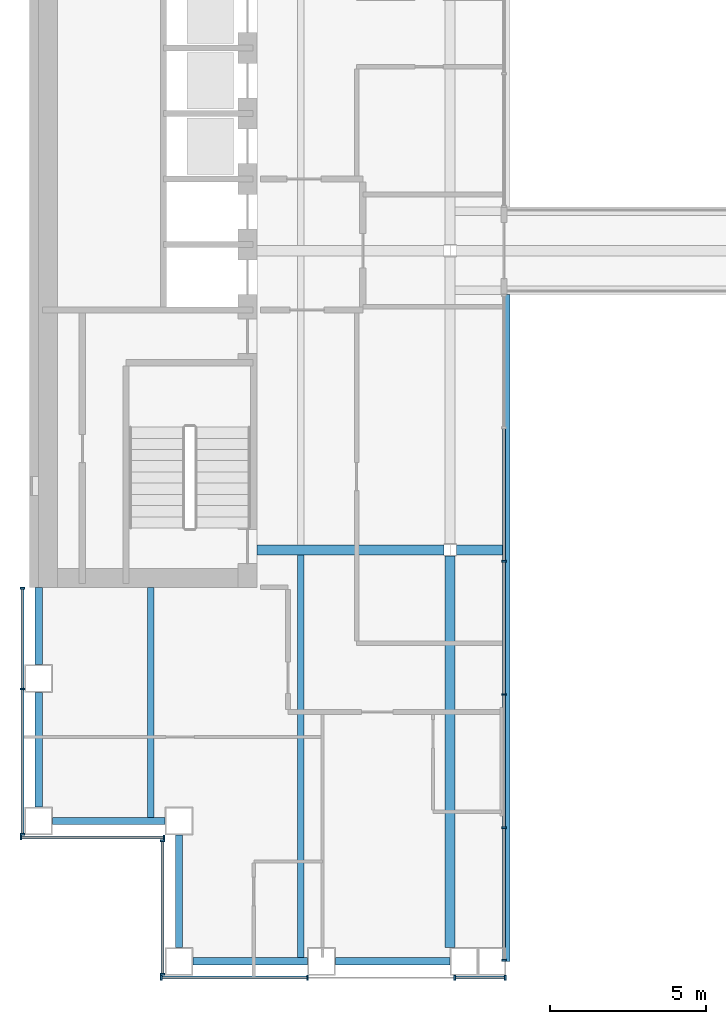
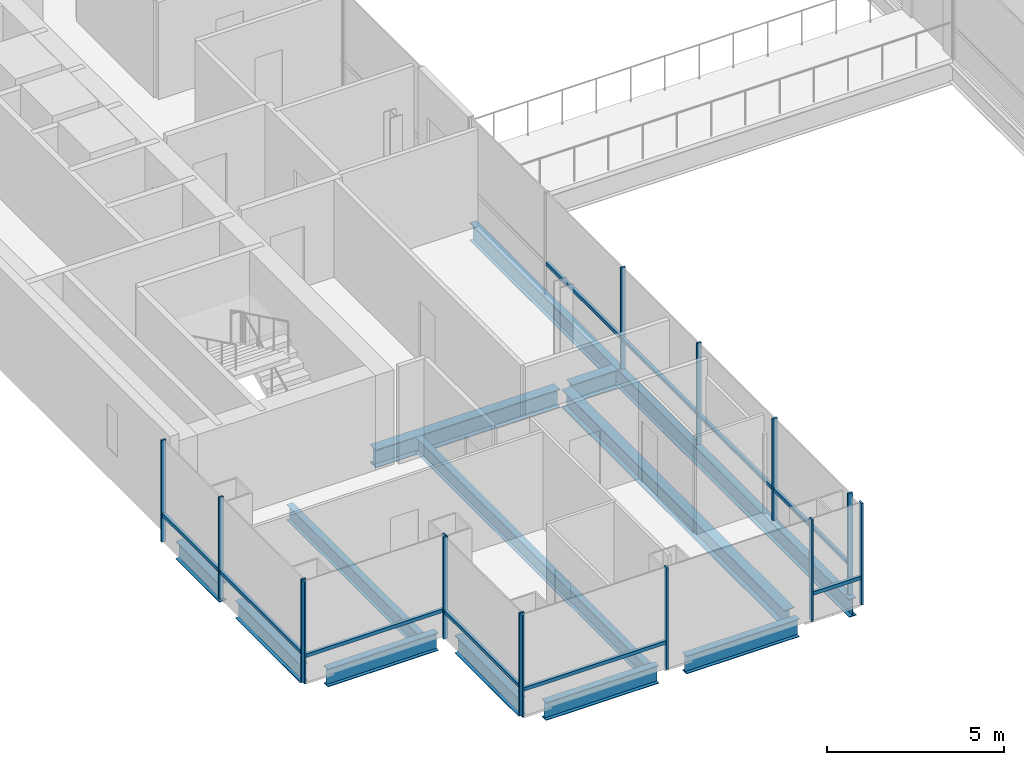
# One storey, part 2 of 16: 25 members, 12 beams, 5 elements without a shape of their own.
"""IFC4 building model written with IfcOpenShell, lengths in metres."""

from ifc_helpers import new_model, si_unit, direction, frame, origin, origin_2d, place, context, subcontext, project, spatial, rectangle, i_section, extrude, material, material_profile, profile_set, type_object, element, aggregate, save


model = new_model("IFC4")

# Units and contexts
model_context = context("Model", 3, precision=1e-05, world=origin(), true_north=direction((0.0, 1.0)))
body_context = subcontext(model_context, "Body", "Model", "MODEL_VIEW")
ifc_project = project(units=[si_unit("LENGTHUNIT", "METRE"), si_unit("AREAUNIT", "SQUARE_METRE"), si_unit("VOLUMEUNIT", "CUBIC_METRE"), si_unit("PLANEANGLEUNIT", "RADIAN"), si_unit("MASSUNIT", "GRAM", prefix="KILO")], contexts=[model_context])

# Site, building, storey
site_placement = place(None, origin())
site = spatial("IfcSite", under=ifc_project, at=site_placement, CompositionType="ELEMENT")
building_placement = place(site_placement, origin())
building = spatial("IfcBuilding", under=site, at=building_placement, Name="Cobrizo Arcos Hotel Tower", CompositionType="ELEMENT")
storey_placement = place(building_placement, frame((0.0, 0.0, 120.5)))
storey = spatial("IfcBuildingStorey", under=building, at=storey_placement, Name="L30", CompositionType="ELEMENT", Elevation=120.5)

# Curtain wall, members
ifc_material_1 = material(Name="Aluminium 6063-T6 anodised bronze", Category="aluminium")
curtain_wall_type_1 = type_object("IfcCurtainWallType", Name="CW-A guest facade", PredefinedType="NOTDEFINED", material=ifc_material_1)
curtain_wall_1_placement = place(storey_placement, origin())
curtain_wall_1 = element("IfcCurtainWall", 1, at=curtain_wall_1_placement, inside=storey, type_object=curtain_wall_type_1, Name="CW-A L30 S face", PredefinedType="NOTDEFINED")
ifc_material_profile_1 = material_profile(ifc_material_1, rectangle(XDim=0.14990234375, YDim=0.06005859375, at=origin_2d()), Name="CW-A mullion 150x60")
ifc_profile_set_1 = profile_set([ifc_material_profile_1], Name="Aluminium 6063-T6 anodised bronze")
member_type_1 = type_object("IfcMemberType", Name="CW-A mullion 150x60", PredefinedType="MULLION", material=ifc_profile_set_1)
member_1_placement = place(storey_placement, frame((-18.8701171875, -23.324951171875, 0.0), z_axis=(0.0, 0.0, 1.0), x_axis=(0.0, -1.0, 0.0)))
member_1 = element("IfcMember", 2, at=member_1_placement, type_object=member_type_1, Name="CW-A mullion 1", PredefinedType="MULLION", context=body_context, shape_type="SweptSolid", body=[
    extrude(rectangle(XDim=0.14990234375, YDim=0.06005859375, at=origin_2d()), origin(), (0.0, 0.0, 1.0), 3.5),
])
member_2_placement = place(storey_placement, frame((-14.175048828125, -23.324951171875, 0.0), z_axis=(0.0, 0.0, 1.0), x_axis=(0.0, -1.0, 0.0)))
member_2 = element("IfcMember", 3, at=member_2_placement, type_object=member_type_1, Name="CW-A mullion 2", PredefinedType="MULLION", context=body_context, shape_type="SweptSolid", body=[
    extrude(rectangle(XDim=0.14990234375, YDim=0.06005859375, at=origin_2d()), origin(), (0.0, 0.0, 1.0), 3.5),
])
member_3_placement = place(storey_placement, frame((-9.449951171875, -23.324951171875, 0.0), z_axis=(0.0, 0.0, 1.0), x_axis=(0.0, -1.0, 0.0)))
member_3 = element("IfcMember", 4, at=member_3_placement, type_object=member_type_1, Name="CW-A mullion 3", PredefinedType="MULLION", context=body_context, shape_type="SweptSolid", body=[
    extrude(rectangle(XDim=0.14990234375, YDim=0.06005859375, at=origin_2d()), origin(), (0.0, 0.0, 1.0), 3.5),
])
member_4_placement = place(storey_placement, frame((-7.830078125, -23.324951171875, 0.0), z_axis=(0.0, 0.0, 1.0), x_axis=(0.0, -1.0, 0.0)))
member_4 = element("IfcMember", 5, at=member_4_placement, type_object=member_type_1, Name="CW-A mullion 4", PredefinedType="MULLION", context=body_context, shape_type="SweptSolid", body=[
    extrude(rectangle(XDim=0.14990234375, YDim=0.06005859375, at=origin_2d()), origin(), (0.0, 0.0, 1.0), 3.5),
])

curtain_wall_2_placement = place(storey_placement, origin())
curtain_wall_2 = element("IfcCurtainWall", 6, at=curtain_wall_2_placement, inside=storey, type_object=curtain_wall_type_1, Name="CW-A L30 W face", PredefinedType="NOTDEFINED")
member_5_placement = place(storey_placement, frame((-23.324951171875, -10.830078125, 0.0), z_axis=(0.0, 0.0, 1.0), x_axis=(-1.0, 0.0, 0.0)))
member_5 = element("IfcMember", 7, at=member_5_placement, type_object=member_type_1, Name="CW-A mullion 1", PredefinedType="MULLION", context=body_context, shape_type="SweptSolid", body=[
    extrude(rectangle(XDim=0.14990234375, YDim=0.06005859375, at=origin_2d()), origin(), (0.0, 0.0, 1.0), 3.5),
])
member_6_placement = place(storey_placement, frame((-23.324951171875, -14.0625, 0.0), z_axis=(0.0, 0.0, 1.0), x_axis=(-1.0, 0.0, 0.0)))
member_6 = element("IfcMember", 8, at=member_6_placement, type_object=member_type_1, Name="CW-A mullion 2", PredefinedType="MULLION", context=body_context, shape_type="SweptSolid", body=[
    extrude(rectangle(XDim=0.14990234375, YDim=0.06005859375, at=origin_2d()), origin(), (0.0, 0.0, 1.0), 3.5),
])
member_7_placement = place(storey_placement, frame((-23.324951171875, -18.719970703125, 0.0), z_axis=(0.0, 0.0, 1.0), x_axis=(-1.0, 0.0, 0.0)))
member_7 = element("IfcMember", 9, at=member_7_placement, type_object=member_type_1, Name="CW-A mullion 3", PredefinedType="MULLION", context=body_context, shape_type="SweptSolid", body=[
    extrude(rectangle(XDim=0.14990234375, YDim=0.06005859375, at=origin_2d()), origin(), (0.0, 0.0, 1.0), 3.5),
])

curtain_wall_3_placement = place(storey_placement, origin())
curtain_wall_3 = element("IfcCurtainWall", 10, at=curtain_wall_3_placement, inside=storey, type_object=curtain_wall_type_1, Name="CW-A L30 S face", PredefinedType="NOTDEFINED")
member_8_placement = place(storey_placement, frame((-23.3701171875, -18.824951171875, 0.0), z_axis=(0.0, 0.0, 1.0), x_axis=(0.0, -1.0, 0.0)))
member_8 = element("IfcMember", 11, at=member_8_placement, type_object=member_type_1, Name="CW-A mullion 1", PredefinedType="MULLION", context=body_context, shape_type="SweptSolid", body=[
    extrude(rectangle(XDim=0.14990234375, YDim=0.06005859375, at=origin_2d()), origin(), (0.0, 0.0, 1.0), 3.5),
])
member_9_placement = place(storey_placement, frame((-18.780029296875, -18.824951171875, 0.0), z_axis=(0.0, 0.0, 1.0), x_axis=(0.0, -1.0, 0.0)))
member_9 = element("IfcMember", 12, at=member_9_placement, type_object=member_type_1, Name="CW-A mullion 2", PredefinedType="MULLION", context=body_context, shape_type="SweptSolid", body=[
    extrude(rectangle(XDim=0.14990234375, YDim=0.06005859375, at=origin_2d()), origin(), (0.0, 0.0, 1.0), 3.5),
])

curtain_wall_4_placement = place(storey_placement, origin())
curtain_wall_4 = element("IfcCurtainWall", 13, at=curtain_wall_4_placement, inside=storey, type_object=curtain_wall_type_1, Name="CW-A L30 W face", PredefinedType="NOTDEFINED")
member_10_placement = place(storey_placement, frame((-18.824951171875, -18.929931640625, 0.0), z_axis=(0.0, 0.0, 1.0), x_axis=(-1.0, 0.0, 0.0)))
member_10 = element("IfcMember", 14, at=member_10_placement, type_object=member_type_1, Name="CW-A mullion 1", PredefinedType="MULLION", context=body_context, shape_type="SweptSolid", body=[
    extrude(rectangle(XDim=0.14990234375, YDim=0.06005859375, at=origin_2d()), origin(), (0.0, 0.0, 1.0), 3.5),
])
member_11_placement = place(storey_placement, frame((-18.824951171875, -23.219970703125, 0.0), z_axis=(0.0, 0.0, 1.0), x_axis=(-1.0, 0.0, 0.0)))
member_11 = element("IfcMember", 15, at=member_11_placement, type_object=member_type_1, Name="CW-A mullion 2", PredefinedType="MULLION", context=body_context, shape_type="SweptSolid", body=[
    extrude(rectangle(XDim=0.14990234375, YDim=0.06005859375, at=origin_2d()), origin(), (0.0, 0.0, 1.0), 3.5),
])

# Member
ifc_material_profile_2 = material_profile(ifc_material_1, rectangle(XDim=0.10009765625, YDim=0.1201171875, at=origin_2d()), Name="CW-A transom 120x100")
ifc_profile_set_2 = profile_set([ifc_material_profile_2], Name="Aluminium 6063-T6 anodised bronze")
member_type_2 = type_object("IfcMemberType", Name="CW-A transom 120x100", PredefinedType="USERDEFINED", material=ifc_profile_set_2)
member_12_placement = place(storey_placement, frame((-18.840087890625, -23.324951171875, 0.929931640625), z_axis=(1.0, 0.0, 0.0), x_axis=(0.0, 1.0, 0.0)))
member_12 = element("IfcMember", 16, at=member_12_placement, type_object=member_type_2, Name="CW-A transom 1135", ObjectType="TRANSOM", PredefinedType="USERDEFINED", context=body_context, shape_type="SweptSolid", body=[
    extrude(rectangle(XDim=0.10009765625, YDim=0.1201171875, at=origin_2d()), origin(), (0.0, 0.0, 1.0), 4.635009765625),
])

member_13_placement = place(storey_placement, frame((-9.419921875, -23.324951171875, 0.929931640625), z_axis=(1.0, 0.0, 0.0), x_axis=(0.0, 1.0, 0.0)))
member_13 = element("IfcMember", 17, at=member_13_placement, type_object=member_type_2, Name="CW-A transom 1137", ObjectType="TRANSOM", PredefinedType="USERDEFINED", context=body_context, shape_type="SweptSolid", body=[
    extrude(rectangle(XDim=0.10009765625, YDim=0.1201171875, at=origin_2d()), origin(), (0.0, 0.0, 1.0), 1.559814453125),
])

aggregate(curtain_wall_1, [member_1, member_2, member_3, member_4, member_12, member_13])

member_14_placement = place(storey_placement, frame((-23.324951171875, -10.860107421875, 0.929931640625), z_axis=(0.0, -1.0, 0.0), x_axis=(1.0, 0.0, 0.0)))
member_14 = element("IfcMember", 18, at=member_14_placement, type_object=member_type_2, Name="CW-A transom 1159", ObjectType="TRANSOM", PredefinedType="USERDEFINED", context=body_context, shape_type="SweptSolid", body=[
    extrude(rectangle(XDim=0.10009765625, YDim=0.1201171875, at=origin_2d()), origin(), (0.0, 0.0, 1.0), 3.17236328125),
])

member_15_placement = place(storey_placement, frame((-23.324951171875, -14.092529296875, 0.929931640625), z_axis=(0.0, -1.0, 0.0), x_axis=(1.0, 0.0, 0.0)))
member_15 = element("IfcMember", 19, at=member_15_placement, type_object=member_type_2, Name="CW-A transom 1160", ObjectType="TRANSOM", PredefinedType="USERDEFINED", context=body_context, shape_type="SweptSolid", body=[
    extrude(rectangle(XDim=0.10009765625, YDim=0.1201171875, at=origin_2d()), origin(), (0.0, 0.0, 1.0), 4.597412109375),
])

aggregate(curtain_wall_2, [member_5, member_6, member_7, member_14, member_15])

member_16_placement = place(storey_placement, frame((-23.340087890625, -18.824951171875, 0.929931640625), z_axis=(1.0, 0.0, 0.0), x_axis=(0.0, 1.0, 0.0)))
member_16 = element("IfcMember", 20, at=member_16_placement, type_object=member_type_2, Name="CW-A transom 1161", ObjectType="TRANSOM", PredefinedType="USERDEFINED", context=body_context, shape_type="SweptSolid", body=[
    extrude(rectangle(XDim=0.10009765625, YDim=0.1201171875, at=origin_2d()), origin(), (0.0, 0.0, 1.0), 4.530029296875),
])

aggregate(curtain_wall_3, [member_8, member_9, member_16])

member_17_placement = place(storey_placement, frame((-18.824951171875, -18.9599609375, 0.929931640625), z_axis=(0.0, -1.0, 0.0), x_axis=(1.0, 0.0, 0.0)))
member_17 = element("IfcMember", 21, at=member_17_placement, type_object=member_type_2, Name="CW-A transom 1162", ObjectType="TRANSOM", PredefinedType="USERDEFINED", context=body_context, shape_type="SweptSolid", body=[
    extrude(rectangle(XDim=0.10009765625, YDim=0.1201171875, at=origin_2d()), origin(), (0.0, 0.0, 1.0), 4.22998046875),
])

aggregate(curtain_wall_4, [member_10, member_11, member_17])

# Curtain wall, members
curtain_wall_type_2 = type_object("IfcCurtainWallType", Name="CW-F void screen", PredefinedType="NOTDEFINED", material=ifc_material_1)
curtain_wall_5_placement = place(storey_placement, origin())
curtain_wall_5 = element("IfcCurtainWall", 22, at=curtain_wall_5_placement, inside=storey, type_object=curtain_wall_type_2, Name="CW-F L30 void screen B", PredefinedType="NOTDEFINED")
ifc_material_profile_3 = material_profile(ifc_material_1, rectangle(XDim=0.14990234375, YDim=0.06005859375, at=origin_2d()), Name="CW-F mullion 150x60")
ifc_profile_set_3 = profile_set([ifc_material_profile_3], Name="Aluminium 6063-T6 anodised bronze")
member_type_3 = type_object("IfcMemberType", Name="CW-F mullion 150x60", PredefinedType="MULLION", material=ifc_profile_set_3)
member_18_placement = place(storey_placement, frame((-7.875, -9.9599609375, 0.0), z_axis=(0.0, 0.0, 1.0), x_axis=(-1.0, 0.0, 0.0)))
member_18 = element("IfcMember", 23, at=member_18_placement, type_object=member_type_3, Name="CW-F mullion 3", PredefinedType="MULLION", context=body_context, shape_type="SweptSolid", body=[
    extrude(rectangle(XDim=0.14990234375, YDim=0.06005859375, at=origin_2d()), origin(), (0.0, 0.0, 1.0), 3.5),
])
member_19_placement = place(storey_placement, frame((-7.875, -14.239990234375, 0.0), z_axis=(0.0, 0.0, 1.0), x_axis=(-1.0, 0.0, 0.0)))
member_19 = element("IfcMember", 24, at=member_19_placement, type_object=member_type_3, Name="CW-F mullion 4", PredefinedType="MULLION", context=body_context, shape_type="SweptSolid", body=[
    extrude(rectangle(XDim=0.14990234375, YDim=0.06005859375, at=origin_2d()), origin(), (0.0, 0.0, 1.0), 3.5),
])
member_20_placement = place(storey_placement, frame((-7.875, -18.52001953125, 0.0), z_axis=(0.0, 0.0, 1.0), x_axis=(-1.0, 0.0, 0.0)))
member_20 = element("IfcMember", 25, at=member_20_placement, type_object=member_type_3, Name="CW-F mullion 5", PredefinedType="MULLION", context=body_context, shape_type="SweptSolid", body=[
    extrude(rectangle(XDim=0.14990234375, YDim=0.06005859375, at=origin_2d()), origin(), (0.0, 0.0, 1.0), 3.5),
])
member_21_placement = place(storey_placement, frame((-7.875, -22.77001953125, 0.0), z_axis=(0.0, 0.0, 1.0), x_axis=(-1.0, 0.0, 0.0)))
member_21 = element("IfcMember", 26, at=member_21_placement, type_object=member_type_3, Name="CW-F mullion 6", PredefinedType="MULLION", context=body_context, shape_type="SweptSolid", body=[
    extrude(rectangle(XDim=0.14990234375, YDim=0.06005859375, at=origin_2d()), origin(), (0.0, 0.0, 1.0), 3.5),
])
ifc_material_profile_4 = material_profile(ifc_material_1, rectangle(XDim=0.10009765625, YDim=0.1201171875, at=origin_2d()), Name="CW-F transom 120x100")
ifc_profile_set_4 = profile_set([ifc_material_profile_4], Name="Aluminium 6063-T6 anodised bronze")
member_type_4 = type_object("IfcMemberType", Name="CW-F transom 120x100", PredefinedType="USERDEFINED", material=ifc_profile_set_4)
member_22_placement = place(storey_placement, frame((-7.875, -5.7099609375, 1.050048828125), z_axis=(0.0, -1.0, 0.0), x_axis=(1.0, 0.0, 0.0)))
member_22 = element("IfcMember", 27, at=member_22_placement, type_object=member_type_4, Name="CW-F transom 2602", ObjectType="TRANSOM", PredefinedType="USERDEFINED", context=body_context, shape_type="SweptSolid", body=[
    extrude(rectangle(XDim=0.10009765625, YDim=0.1201171875, at=origin_2d()), origin(), (0.0, 0.0, 1.0), 4.219970703125),
])
member_23_placement = place(storey_placement, frame((-7.875, -9.989990234375, 1.050048828125), z_axis=(0.0, -1.0, 0.0), x_axis=(1.0, 0.0, 0.0)))
member_23 = element("IfcMember", 28, at=member_23_placement, type_object=member_type_4, Name="CW-F transom 2603", ObjectType="TRANSOM", PredefinedType="USERDEFINED", context=body_context, shape_type="SweptSolid", body=[
    extrude(rectangle(XDim=0.10009765625, YDim=0.1201171875, at=origin_2d()), origin(), (0.0, 0.0, 1.0), 4.219970703125),
])
member_24_placement = place(storey_placement, frame((-7.875, -14.27001953125, 1.050048828125), z_axis=(0.0, -1.0, 0.0), x_axis=(1.0, 0.0, 0.0)))
member_24 = element("IfcMember", 29, at=member_24_placement, type_object=member_type_4, Name="CW-F transom 2604", ObjectType="TRANSOM", PredefinedType="USERDEFINED", context=body_context, shape_type="SweptSolid", body=[
    extrude(rectangle(XDim=0.10009765625, YDim=0.1201171875, at=origin_2d()), origin(), (0.0, 0.0, 1.0), 4.219970703125),
])
member_25_placement = place(storey_placement, frame((-7.875, -18.550048828125, 1.050048828125), z_axis=(0.0, -1.0, 0.0), x_axis=(1.0, 0.0, 0.0)))
member_25 = element("IfcMember", 30, at=member_25_placement, type_object=member_type_4, Name="CW-F transom 2605", ObjectType="TRANSOM", PredefinedType="USERDEFINED", context=body_context, shape_type="SweptSolid", body=[
    extrude(rectangle(XDim=0.10009765625, YDim=0.1201171875, at=origin_2d()), origin(), (0.0, 0.0, 1.0), 4.18994140625),
])
aggregate(curtain_wall_5, [member_18, member_19, member_20, member_21, member_22, member_23, member_24, member_25])

# Beams
ifc_material_2 = material(Name="Steel ASTM A992 Grade 50", Category="steel")
ifc_material_profile_5 = material_profile(ifc_material_2, i_section(OverallWidth=0.209228515625, OverallDepth=0.533447265625, WebThickness=0.01025390625, FlangeThickness=0.015625, at=origin_2d()), Name="W21X62")
ifc_profile_set_5 = profile_set([ifc_material_profile_5], Name="Steel ASTM A992 Grade 50")
beam_type_1 = type_object("IfcBeamType", Name="W21X62 joist", PredefinedType="JOIST", material=ifc_profile_set_5)
beam_1_placement = place(storey_placement, frame((-19.199951171875, -18.2099609375, -0.416748046875), z_axis=(0.0, 1.0, 0.0), x_axis=(-1.0, 0.0, 0.0)))
element("IfcBeam", 31, at=beam_1_placement, inside=storey, type_object=beam_type_1, Name="Floor joist J1, L30, no. 001", PredefinedType="JOIST", context=body_context, shape_type="SweptSolid", body=[
    extrude(i_section(OverallWidth=0.209228515625, OverallDepth=0.533447265625, WebThickness=0.01025390625, FlangeThickness=0.015625, at=origin_2d()), origin(), (0.0, 0.0, 1.0), 7.39990234375),
])
beam_2_placement = place(storey_placement, frame((-14.39990234375, -22.7099609375, -0.416748046875), z_axis=(0.0, 1.0, 0.0), x_axis=(-1.0, 0.0, 0.0)))
element("IfcBeam", 32, at=beam_2_placement, inside=storey, type_object=beam_type_1, Name="Floor joist J1, L30, no. 003", PredefinedType="JOIST", context=body_context, shape_type="SweptSolid", body=[
    extrude(i_section(OverallWidth=0.209228515625, OverallDepth=0.533447265625, WebThickness=0.01025390625, FlangeThickness=0.015625, at=origin_2d()), origin(), (0.0, 0.0, 1.0), 12.946044921875),
])
ifc_material_profile_6 = material_profile(ifc_material_2, i_section(OverallWidth=0.32763671875, OverallDepth=0.622314453125, WebThickness=0.015380859375, FlangeThickness=0.0244140625, at=origin_2d()), Name="W24X131")
ifc_profile_set_6 = profile_set([ifc_material_profile_6], Name="Steel ASTM A992 Grade 50")
beam_type_2 = type_object("IfcBeamType", Name="W24X131 girder", PredefinedType="BEAM", material=ifc_profile_set_6)
beam_3_placement = place(storey_placement, frame((-15.7900390625, -9.60009765625, -0.461181640625), z_axis=(1.0, 0.0, 0.0), x_axis=(0.0, 1.0, 0.0)))
element("IfcBeam", 33, at=beam_3_placement, inside=storey, type_object=beam_type_2, Name="Floor girder G1, L30, no. 001", PredefinedType="BEAM", context=body_context, shape_type="SweptSolid", body=[
    extrude(i_section(OverallWidth=0.32763671875, OverallDepth=0.622314453125, WebThickness=0.015380859375, FlangeThickness=0.0244140625, at=origin_2d()), origin(), (0.0, 0.0, 1.0), 5.99072265625),
])
beam_4_placement = place(storey_placement, frame((-9.400634765625, -9.60009765625, -0.461181640625), z_axis=(1.0, 0.0, 0.0), x_axis=(0.0, 1.0, 0.0)))
element("IfcBeam", 34, at=beam_4_placement, inside=storey, type_object=beam_type_2, Name="Floor girder G1, L30, no. 002", PredefinedType="BEAM", context=body_context, shape_type="SweptSolid", body=[
    extrude(i_section(OverallWidth=0.32763671875, OverallDepth=0.622314453125, WebThickness=0.015380859375, FlangeThickness=0.0244140625, at=origin_2d()), origin(), (0.0, 0.0, 1.0), 1.5107421875),
])
beam_5_placement = place(storey_placement, frame((-9.60009765625, -22.35009765625, -0.461181640625), z_axis=(0.0, 1.0, 0.0), x_axis=(-1.0, 0.0, 0.0)))
element("IfcBeam", 35, at=beam_5_placement, inside=storey, type_object=beam_type_2, Name="Floor girder G1, L30, no. 012", PredefinedType="BEAM", context=body_context, shape_type="SweptSolid", body=[
    extrude(i_section(OverallWidth=0.32763671875, OverallDepth=0.622314453125, WebThickness=0.015380859375, FlangeThickness=0.0244140625, at=origin_2d()), origin(), (0.0, 0.0, 1.0), 12.55078125),
])
ifc_material_profile_7 = material_profile(ifc_material_2, i_section(OverallWidth=0.23046875, OverallDepth=0.6171875, WebThickness=0.01318359375, FlangeThickness=0.022216796875, at=origin_2d()), Name="W24X94")
ifc_profile_set_7 = profile_set([ifc_material_profile_7], Name="Steel ASTM A992 Grade 50")
beam_type_3 = type_object("IfcBeamType", Name="W24X94 spandrel", PredefinedType="SPANDREL", material=ifc_profile_set_7)
beam_6_placement = place(storey_placement, frame((-7.800048828125, -1.39990234375, -0.45849609375), z_axis=(0.0, -1.0, 0.0), x_axis=(1.0, 0.0, 0.0)))
element("IfcBeam", 36, at=beam_6_placement, inside=storey, type_object=beam_type_3, Name="Spandrel beam W24X94, L30, no. 011", PredefinedType="SPANDREL", context=body_context, shape_type="SweptSolid", body=[
    extrude(i_section(OverallWidth=0.23046875, OverallDepth=0.6171875, WebThickness=0.01318359375, FlangeThickness=0.022216796875, at=origin_2d()), origin(), (0.0, 0.0, 1.0), 21.400146484375),
])
beam_7_placement = place(storey_placement, frame((-9.60009765625, -22.800048828125, -0.45849609375), z_axis=(-1.0, 0.0, 0.0), x_axis=(0.0, -1.0, 0.0)))
element("IfcBeam", 37, at=beam_7_placement, inside=storey, type_object=beam_type_3, Name="Spandrel beam W24X94, L30, no. 012", PredefinedType="SPANDREL", context=body_context, shape_type="SweptSolid", body=[
    extrude(i_section(OverallWidth=0.23046875, OverallDepth=0.6171875, WebThickness=0.01318359375, FlangeThickness=0.022216796875, at=origin_2d()), origin(), (0.0, 0.0, 1.0), 3.6748046875),
])
beam_8_placement = place(storey_placement, frame((-14.175048828125, -22.800048828125, -0.45849609375), z_axis=(-1.0, 0.0, 0.0), x_axis=(0.0, -1.0, 0.0)))
element("IfcBeam", 38, at=beam_8_placement, inside=storey, type_object=beam_type_3, Name="Spandrel beam W24X94, L30, no. 013", PredefinedType="SPANDREL", context=body_context, shape_type="SweptSolid", body=[
    extrude(i_section(OverallWidth=0.23046875, OverallDepth=0.6171875, WebThickness=0.01318359375, FlangeThickness=0.022216796875, at=origin_2d()), origin(), (0.0, 0.0, 1.0), 3.675048828125),
])
for number, where, z_axis, x_axis, name in (
    (39, (-18.300048828125, -22.35009765625, -0.45849609375), (0.0, 1.0, 0.0), (-1.0, 0.0, 0.0), "Spandrel beam W24X94, L30, no. 014"),
    (40, (-18.75, -18.300048828125, -0.45849609375), (-1.0, 0.0, 0.0), (0.0, -1.0, 0.0), "Spandrel beam W24X94, L30, no. 015"),
):
    element("IfcBeam", number, at=place(storey_placement, frame(where, z_axis=z_axis, x_axis=x_axis)), inside=storey, type_object=beam_type_3, Name=name, PredefinedType="SPANDREL", context=body_context, shape_type="SweptSolid", body=[
        extrude(i_section(OverallWidth=0.23046875, OverallDepth=0.6171875, WebThickness=0.01318359375, FlangeThickness=0.022216796875, at=origin_2d()), origin(), (0.0, 0.0, 1.0), 3.60009765625),
    ])
beam_9_placement = place(storey_placement, frame((-22.800048828125, -17.85009765625, -0.45849609375), z_axis=(0.0, 1.0, 0.0), x_axis=(-1.0, 0.0, 0.0)))
element("IfcBeam", 41, at=beam_9_placement, inside=storey, type_object=beam_type_3, Name="Spandrel beam W24X94, L30, no. 016", PredefinedType="SPANDREL", context=body_context, shape_type="SweptSolid", body=[
    extrude(i_section(OverallWidth=0.23046875, OverallDepth=0.6171875, WebThickness=0.01318359375, FlangeThickness=0.022216796875, at=origin_2d()), origin(), (0.0, 0.0, 1.0), 3.675048828125),
])
beam_10_placement = place(storey_placement, frame((-22.800048828125, -13.27490234375, -0.45849609375), z_axis=(0.0, 1.0, 0.0), x_axis=(-1.0, 0.0, 0.0)))
element("IfcBeam", 42, at=beam_10_placement, inside=storey, type_object=beam_type_3, Name="Spandrel beam W24X94, L30, no. 017", PredefinedType="SPANDREL", context=body_context, shape_type="SweptSolid", body=[
    extrude(i_section(OverallWidth=0.23046875, OverallDepth=0.6171875, WebThickness=0.01318359375, FlangeThickness=0.022216796875, at=origin_2d()), origin(), (0.0, 0.0, 1.0), 2.46484375),
])

save(model, "model.ifc")
